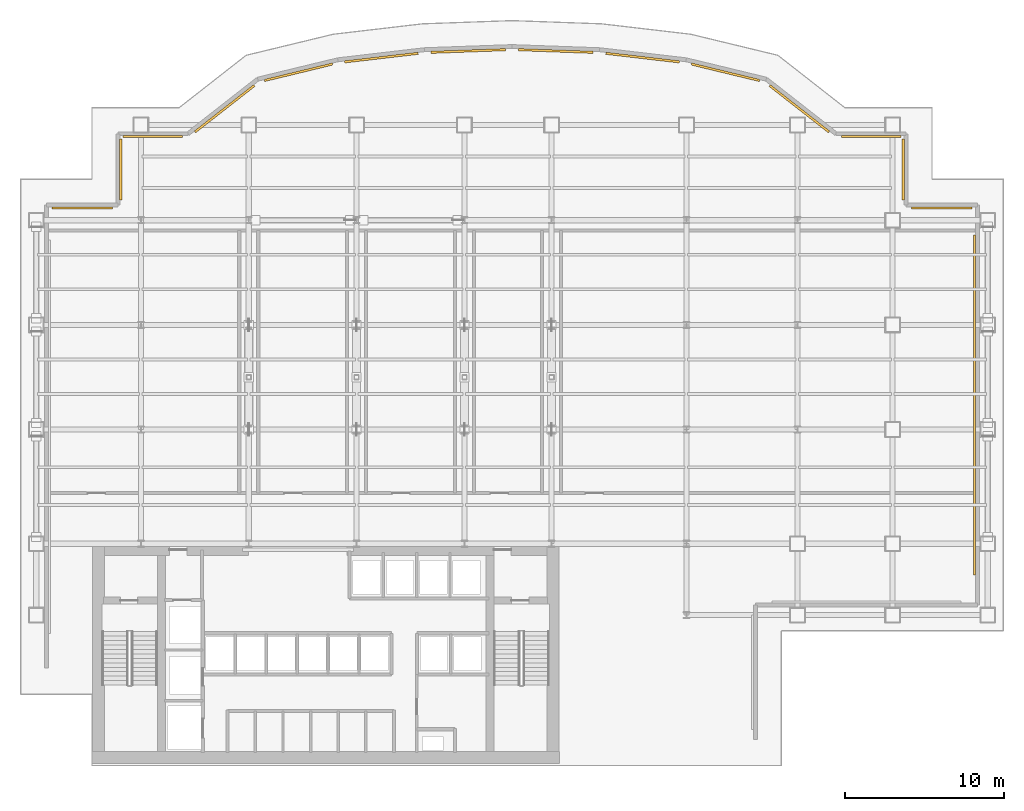
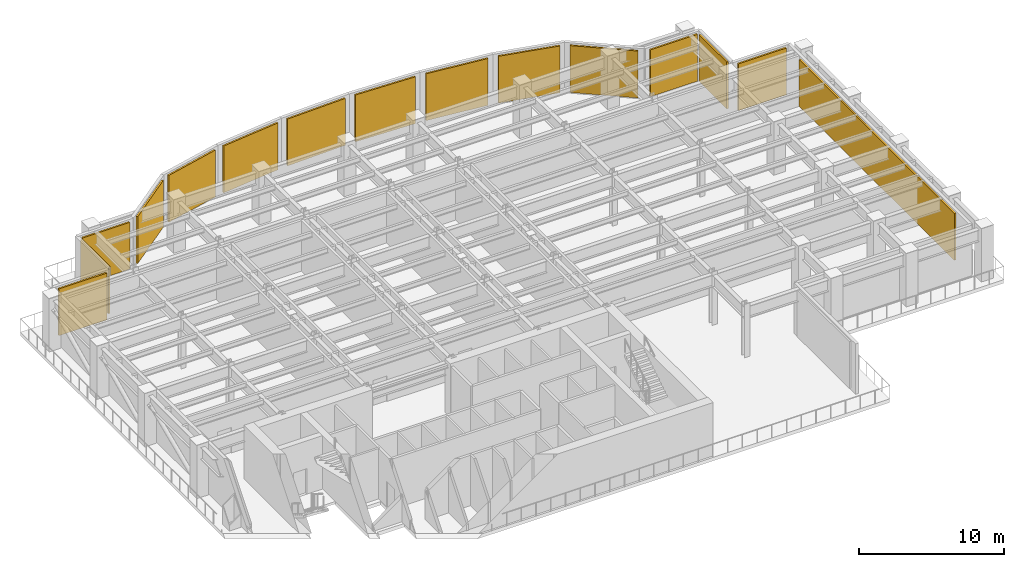
# One storey, part 14 of 14: 15 shading devices.
"""IFC4 building model written with IfcOpenShell, lengths in metres."""

from ifc_helpers import new_model, si_unit, derived_unit, direction, frame, origin, origin_2d, place, context, subcontext, project, spatial, rectangle, extrude, source, transform, mapped, material, type_object, element, save


model = new_model("IFC4")

# Units and contexts
model_context = context("Model", 3, precision=1e-05, world=origin(), true_north=direction((0.0, 1.0)))
body_context = subcontext(model_context, "Body", "Model", "MODEL_VIEW")
ifc_project = project(units=[si_unit("LENGTHUNIT", "METRE"), si_unit("AREAUNIT", "SQUARE_METRE"), si_unit("VOLUMEUNIT", "CUBIC_METRE"), si_unit("PLANEANGLEUNIT", "RADIAN"), si_unit("MASSUNIT", "GRAM", prefix="KILO"), derived_unit("THERMALTRANSMITTANCEUNIT", [(si_unit("POWERUNIT", "WATT"), 1), (si_unit("LENGTHUNIT", "METRE"), -2), (si_unit("THERMODYNAMICTEMPERATUREUNIT", "KELVIN"), -1)])], contexts=[model_context])

# Site, building, storey
site_placement = place(None, origin())
site = spatial("IfcSite", under=ifc_project, at=site_placement, CompositionType="ELEMENT")
building_placement = place(site_placement, origin())
building = spatial("IfcBuilding", under=site, at=building_placement, Name="Skarnbrae Concourse Arena and Tower", CompositionType="ELEMENT")
storey_placement = place(building_placement, frame((0.0, 0.0, 84.14990234375)))
storey = spatial("IfcBuildingStorey", under=building, at=storey_placement, Name="L20", CompositionType="ELEMENT", Elevation=84.14990234375)

# Shading devices
ifc_material = material(Name="Bronze anodised aluminium 6063-T6", Category="aluminium")
shading_device_type = type_object("IfcShadingDeviceType", Name="SHD-BRONZE-LOUVRE-150", PredefinedType="USERDEFINED", material=ifc_material)
shared_shape_1 = source(origin(), body_context, "Body", "SweptSolid", [
    extrude(rectangle(XDim=3.824951171875, YDim=0.139892578125, at=origin_2d()), origin(), (0.0, 0.0, 1.0), 3.949951171875),
])
for number, where, z_axis, x_axis, name in (
    (1, (3.89990234375, 35.169921875, 0.14990234375), (0.0, 0.0, 1.0), (1.0, 0.0, 0.0), "L20 Refuge band bronze weather louvre 04"),
    (2, (6.330078125, 37.60009765625, 0.14990234375), (0.0, 0.0, 1.0), (0.0, 1.0, 0.0), "L20 Refuge band bronze weather louvre 05"),
    (3, (55.669921875, 37.60009765625, 0.14990234375), (0.0, 0.0, 1.0), (0.0, -1.0, 0.0), "L20 Refuge band bronze weather louvre 16"),
    (4, (58.10009765625, 35.169921875, 0.14990234375), (0.0, 0.0, 1.0), (1.0, 0.0, 0.0), "L20 Refuge band bronze weather louvre 17"),
):
    element("IfcShadingDevice", number, at=place(storey_placement, frame(where, z_axis=z_axis, x_axis=x_axis)), inside=storey, type_object=shading_device_type, Name=name, ObjectType="LOUVRE", PredefinedType="USERDEFINED", context=body_context, shape_type="MappedRepresentation", body=[
        mapped(shared_shape_1, transform((0.0, 0.0, 0.0))),
    ])
shared_shape_2 = source(origin(), body_context, "Body", "SweptSolid", [
    extrude(rectangle(XDim=3.755859375, YDim=0.139892578125, at=origin_2d()), origin(), (0.0, 0.0, 1.0), 3.949951171875),
])
for number, where, z_axis, x_axis, name in (
    (5, (8.359375, 39.669921875, 0.14990234375), (0.0, 0.0, 1.0), (1.0, 0.0, 0.0), "L20 Refuge band bronze weather louvre 06"),
    (6, (53.640625, 39.669921875, 0.14990234375), (0.0, 0.0, 1.0), (1.0, 0.0, 0.0), "L20 Refuge band bronze weather louvre 15"),
):
    element("IfcShadingDevice", number, at=place(storey_placement, frame(where, z_axis=z_axis, x_axis=x_axis)), inside=storey, type_object=shading_device_type, Name=name, ObjectType="LOUVRE", PredefinedType="USERDEFINED", context=body_context, shape_type="MappedRepresentation", body=[
        mapped(shared_shape_2, transform((0.0, 0.0, 0.0))),
    ])
shared_shape_3 = source(origin(), body_context, "Body", "SweptSolid", [
    extrude(rectangle(XDim=4.74853515625, YDim=0.139892578125, at=origin_2d()), origin(), (0.0, 0.0, 1.0), 3.949951171875),
])
for number, where, z_axis, x_axis, name in (
    (7, (12.879638671875, 41.42919921875, 0.14990234375), (0.0, 0.0, 1.0), (0.787656027369, 0.616115234797, 0.0), "L20 Refuge band bronze weather louvre 07"),
    (8, (49.120361328125, 41.42919921875, 0.14990234375), (0.0, 0.0, 1.0), (0.787656027369, -0.616115234797, 0.0), "L20 Refuge band bronze weather louvre 14"),
):
    element("IfcShadingDevice", number, at=place(storey_placement, frame(where, z_axis=z_axis, x_axis=x_axis)), inside=storey, type_object=shading_device_type, Name=name, ObjectType="LOUVRE", PredefinedType="USERDEFINED", context=body_context, shape_type="MappedRepresentation", body=[
        mapped(shared_shape_3, transform((0.0, 0.0, 0.0))),
    ])
shared_shape_4 = source(origin(), body_context, "Body", "SweptSolid", [
    extrude(rectangle(XDim=4.415771484375, YDim=0.139892578125, at=origin_2d()), origin(), (0.0, 0.0, 1.0), 3.949951171875),
])
for number, where, z_axis, x_axis, name in (
    (9, (17.535888671875, 43.7275390625, 0.14990234375), (0.0, 0.0, 1.0), (0.971973311258, 0.235091221021, 0.0), "L20 Refuge band bronze weather louvre 08"),
    (10, (44.464111328125, 43.7275390625, 0.14990234375), (0.0, 0.0, 1.0), (0.971973311258, -0.235091221021, 0.0), "L20 Refuge band bronze weather louvre 13"),
):
    element("IfcShadingDevice", number, at=place(storey_placement, frame(where, z_axis=z_axis, x_axis=x_axis)), inside=storey, type_object=shading_device_type, Name=name, ObjectType="LOUVRE", PredefinedType="USERDEFINED", context=body_context, shape_type="MappedRepresentation", body=[
        mapped(shared_shape_4, transform((0.0, 0.0, 0.0))),
    ])
shared_shape_5 = source(origin(), body_context, "Body", "SweptSolid", [
    extrude(rectangle(XDim=4.6669921875, YDim=0.139892578125, at=origin_2d()), origin(), (0.0, 0.0, 1.0), 3.949951171875),
])
for number, where, z_axis, x_axis, name in (
    (11, (22.765869140625, 44.653076171875, 0.14990234375), (0.0, 0.0, 1.0), (0.993244975059, 0.116036285357, 0.0), "L20 Refuge band bronze weather louvre 09"),
    (12, (39.234130859375, 44.653076171875, 0.14990234375), (0.0, 0.0, 1.0), (0.993244975059, -0.116036285357, 0.0), "L20 Refuge band bronze weather louvre 12"),
):
    element("IfcShadingDevice", number, at=place(storey_placement, frame(where, z_axis=z_axis, x_axis=x_axis)), inside=storey, type_object=shading_device_type, Name=name, ObjectType="LOUVRE", PredefinedType="USERDEFINED", context=body_context, shape_type="MappedRepresentation", body=[
        mapped(shared_shape_5, transform((0.0, 0.0, 0.0))),
    ])
shared_shape_6 = source(origin(), body_context, "Body", "SweptSolid", [
    extrude(rectangle(XDim=4.7021484375, YDim=0.139892578125, at=origin_2d()), origin(), (0.0, 0.0, 1.0), 3.949951171875),
])
for number, where, z_axis, x_axis, name in (
    (13, (28.2421875, 45.069580078125, 0.14990234375), (0.0, 0.0, 1.0), (0.999355362531, 0.035900687731, 0.0), "L20 Refuge band bronze weather louvre 10"),
    (14, (33.7578125, 45.069580078125, 0.14990234375), (0.0, 0.0, 1.0), (0.999355362531, -0.035900687731, 0.0), "L20 Refuge band bronze weather louvre 11"),
):
    element("IfcShadingDevice", number, at=place(storey_placement, frame(where, z_axis=z_axis, x_axis=x_axis)), inside=storey, type_object=shading_device_type, Name=name, ObjectType="LOUVRE", PredefinedType="USERDEFINED", context=body_context, shape_type="MappedRepresentation", body=[
        mapped(shared_shape_6, transform((0.0, 0.0, 0.0))),
    ])
shared_shape_7 = source(origin(), body_context, "Body", "SweptSolid", [
    extrude(rectangle(XDim=21.419921875, YDim=0.139892578125, at=origin_2d()), origin(), (0.0, 0.0, 1.0), 3.949951171875),
])
shading_device_placement = place(storey_placement, frame((60.169921875, 22.75, 0.14990234375), z_axis=(0.0, 0.0, 1.0), x_axis=(0.0, -1.0, 0.0)))
element("IfcShadingDevice", 15, at=shading_device_placement, inside=storey, type_object=shading_device_type, Name="L20 Refuge band bronze weather louvre 18", ObjectType="LOUVRE", PredefinedType="USERDEFINED", context=body_context, shape_type="MappedRepresentation", body=[
    mapped(shared_shape_7, transform((0.0, 0.0, 0.0))),
])

save(model, "model.ifc")
